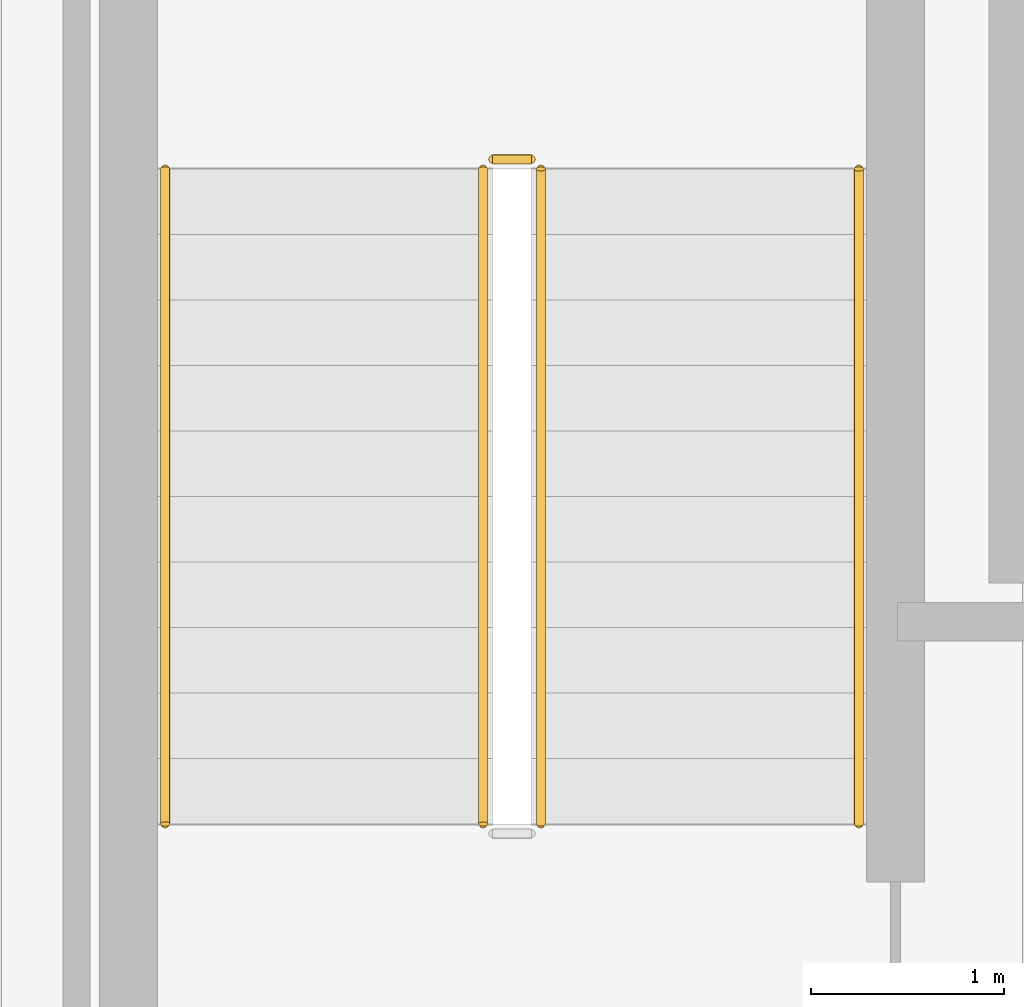
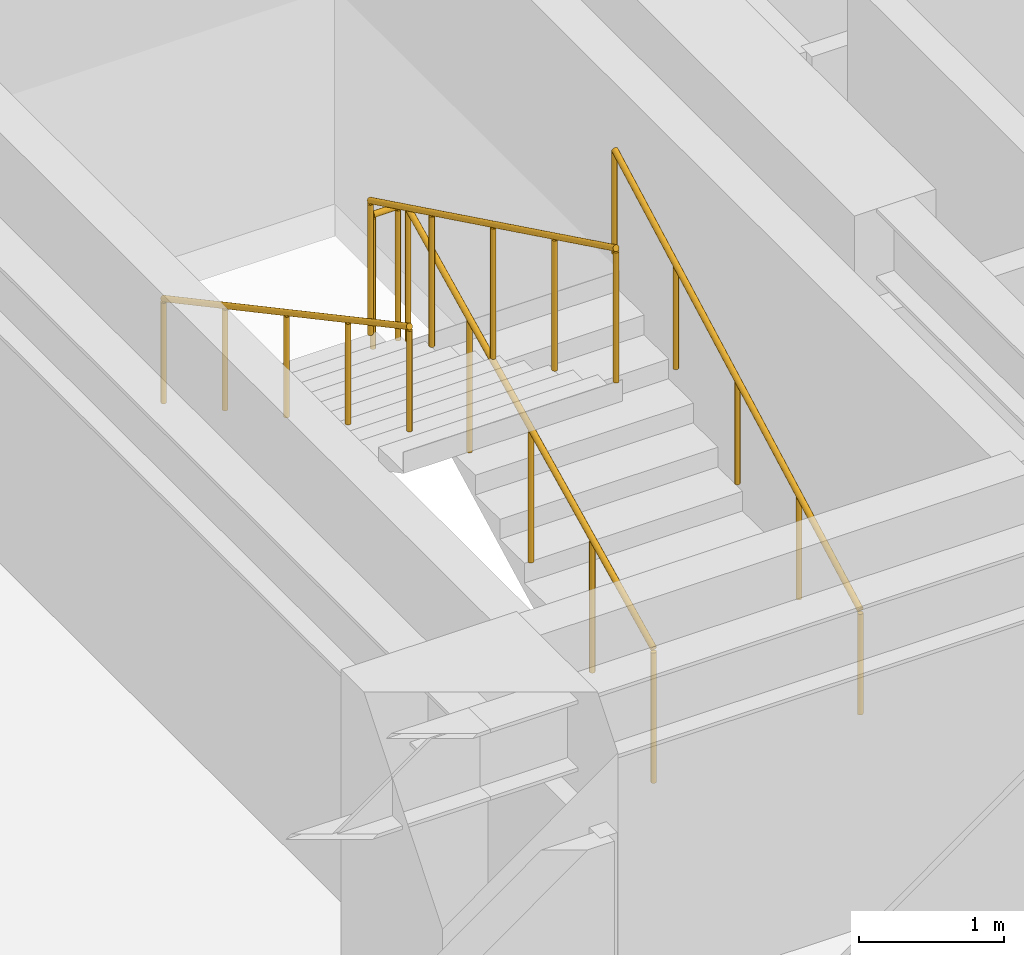
# One storey, part 37 of 38: 5 railings.
"""IFC4 building model written with IfcOpenShell, lengths in metres."""

from ifc_helpers import new_model, si_unit, direction, frame, origin, origin_2d, place, context, subcontext, project, spatial, circle, extrude, material, type_object, element, save


model = new_model("IFC4")

# Units and contexts
model_context = context("Model", 3, precision=1e-05, world=origin(), true_north=direction((0.0, 1.0)))
body_context = subcontext(model_context, "Body", "Model", "MODEL_VIEW")
ifc_project = project(units=[si_unit("LENGTHUNIT", "METRE"), si_unit("AREAUNIT", "SQUARE_METRE"), si_unit("VOLUMEUNIT", "CUBIC_METRE"), si_unit("PLANEANGLEUNIT", "RADIAN"), si_unit("MASSUNIT", "GRAM", prefix="KILO")], contexts=[model_context])

# Site, building, storey
site_placement = place(None, origin())
site = spatial("IfcSite", under=ifc_project, at=site_placement, CompositionType="ELEMENT")
building_placement = place(site_placement, origin())
building = spatial("IfcBuilding", under=site, at=building_placement, Name="Nahalor Promenade Grand Hotel", CompositionType="ELEMENT")
storey_placement = place(building_placement, frame((0.0, 0.0, 50.64990234375)))
storey = spatial("IfcBuildingStorey", under=building, at=storey_placement, Name="L11", CompositionType="ELEMENT", Elevation=50.64990234375)

# Railings
ifc_material = material(Name="Steel S355JR", Category="steel")
railing_type_1 = type_object("IfcRailingType", Name="Steel Stair Guardrail 1150 mm", PredefinedType="GUARDRAIL", material=ifc_material)
railing_1_placement = place(storey_placement, frame((5.75, 8.10009765625, 0.166015625)))
element("IfcRailing", 1, at=railing_1_placement, inside=storey, type_object=railing_type_1, Name="L11 ST1 stair guard 1", PredefinedType="GUARDRAIL", context=body_context, shape_type="SweptSolid", body=[
    extrude(circle(Radius=0.024048, at=origin_2d()), frame((0.0, 0.0, 1.1259765625), z_axis=(0.0, 0.898696488221, 0.438571114028), x_axis=(-1.0, 0.0, 0.0)), (0.0, 0.0, 1.0), 3.783203125),
    extrude(circle(Radius=0.020996, at=origin_2d()), origin(), (0.0, 0.0, 1.0), 1.099853515625),
    extrude(circle(Radius=0.020996, at=origin_2d()), frame((0.0, 0.85009765625, 0.414794921875)), (0.0, 0.0, 1.0), 1.099853515625),
    extrude(circle(Radius=0.020996, at=origin_2d()), frame((0.0, 1.699951171875, 0.82958984375)), (0.0, 0.0, 1.0), 1.099853515625),
    extrude(circle(Radius=0.020996, at=origin_2d()), frame((0.0, 2.5498046875, 1.244384765625)), (0.0, 0.0, 1.0), 1.099853515625),
    extrude(circle(Radius=0.020996, at=origin_2d()), frame((0.0, 3.39990234375, 1.6591796875)), (0.0, 0.0, 1.0), 1.099853515625),
])
railing_2_placement = place(storey_placement, frame((5.699951171875, 11.550048828125, 1.8251953125)))
element("IfcRailing", 2, at=railing_2_placement, inside=storey, type_object=railing_type_1, Name="L11 ST1 stair guard 2", PredefinedType="GUARDRAIL", context=body_context, shape_type="SweptSolid", body=[
    extrude(circle(Radius=0.024048, at=origin_2d()), frame((0.0, 0.0, 1.1259765625), z_axis=(-1.0, 0.0, 0.0), x_axis=(0.0, -1.0, 0.0)), (0.0, 0.0, 1.0), 0.199951171875),
    extrude(circle(Radius=0.020996, at=origin_2d()), origin(), (0.0, 0.0, 1.0), 1.099853515625),
    extrude(circle(Radius=0.020996, at=origin_2d()), frame((-0.199951171875, 0.0, 0.0)), (0.0, 0.0, 1.0), 1.099853515625),
])
railing_3_placement = place(storey_placement, frame((5.449951171875, 11.5, 1.990966796875)))
element("IfcRailing", 3, at=railing_3_placement, inside=storey, type_object=railing_type_1, Name="L11 ST1 stair guard 3", PredefinedType="GUARDRAIL", context=body_context, shape_type="SweptSolid", body=[
    extrude(circle(Radius=0.024048, at=origin_2d()), frame((0.0, 0.0, 1.1259765625), z_axis=(0.0, -0.898696488221, 0.438571114028), x_axis=(1.0, 0.0, 0.0)), (0.0, 0.0, 1.0), 3.783203125),
    extrude(circle(Radius=0.020996, at=origin_2d()), origin(), (0.0, 0.0, 1.0), 1.099853515625),
    extrude(circle(Radius=0.020996, at=origin_2d()), frame((0.0, -0.85009765625, 0.414794921875)), (0.0, 0.0, 1.0), 1.099853515625),
    extrude(circle(Radius=0.020996, at=origin_2d()), frame((0.0, -1.699951171875, 0.82958984375)), (0.0, 0.0, 1.0), 1.099853515625),
    extrude(circle(Radius=0.020996, at=origin_2d()), frame((0.0, -2.5498046875, 1.244384765625)), (0.0, 0.0, 1.0), 1.099853515625),
    extrude(circle(Radius=0.020996, at=origin_2d()), frame((0.0, -3.39990234375, 1.6591796875)), (0.0, 0.0, 1.0), 1.099853515625),
])
railing_type_2 = type_object("IfcRailingType", Name="Steel Stair Handrail 900 mm", PredefinedType="HANDRAIL", material=ifc_material)
railing_4_placement = place(storey_placement, frame((7.39990234375, 8.10009765625, 0.166015625)))
element("IfcRailing", 4, at=railing_4_placement, inside=storey, type_object=railing_type_2, Name="L11 ST1 stair handrail 1", PredefinedType="HANDRAIL", context=body_context, shape_type="SweptSolid", body=[
    extrude(circle(Radius=0.024048, at=origin_2d()), frame((0.0, 0.0, 0.8759765625), z_axis=(0.0, 0.881094038095, 0.47294111265), x_axis=(-1.0, 0.0, 0.0)), (0.0, 0.0, 1.0), 3.858642578125),
    extrude(circle(Radius=0.020996, at=origin_2d()), origin(), (0.0, 0.0, 1.0), 0.849853515625),
    extrude(circle(Radius=0.020996, at=origin_2d()), frame((0.0, 0.85009765625, 0.456298828125)), (0.0, 0.0, 1.0), 0.849853515625),
    extrude(circle(Radius=0.020996, at=origin_2d()), frame((0.0, 1.699951171875, 0.91259765625)), (0.0, 0.0, 1.0), 0.849853515625),
    extrude(circle(Radius=0.020996, at=origin_2d()), frame((0.0, 2.5498046875, 1.36865234375)), (0.0, 0.0, 1.0), 0.849853515625),
    extrude(circle(Radius=0.020996, at=origin_2d()), frame((0.0, 3.39990234375, 1.824951171875)), (0.0, 0.0, 1.0), 0.849853515625),
])
railing_5_placement = place(storey_placement, frame((3.800048828125, 11.5, 1.990966796875)))
element("IfcRailing", 5, at=railing_5_placement, inside=storey, type_object=railing_type_2, Name="L11 ST1 stair handrail 2", PredefinedType="HANDRAIL", context=body_context, shape_type="SweptSolid", body=[
    extrude(circle(Radius=0.024048, at=origin_2d()), frame((0.0, 0.0, 0.8759765625), z_axis=(0.0, -0.881094038095, 0.47294111265), x_axis=(1.0, 0.0, 0.0)), (0.0, 0.0, 1.0), 3.858642578125),
    extrude(circle(Radius=0.020996, at=origin_2d()), origin(), (0.0, 0.0, 1.0), 0.849853515625),
    extrude(circle(Radius=0.020996, at=origin_2d()), frame((0.0, -0.85009765625, 0.456298828125)), (0.0, 0.0, 1.0), 0.849853515625),
    extrude(circle(Radius=0.020996, at=origin_2d()), frame((0.0, -1.699951171875, 0.91259765625)), (0.0, 0.0, 1.0), 0.849853515625),
    extrude(circle(Radius=0.020996, at=origin_2d()), frame((0.0, -2.5498046875, 1.36865234375)), (0.0, 0.0, 1.0), 0.849853515625),
    extrude(circle(Radius=0.020996, at=origin_2d()), frame((0.0, -3.39990234375, 1.824951171875)), (0.0, 0.0, 1.0), 0.849853515625),
])

save(model, "model.ifc")
